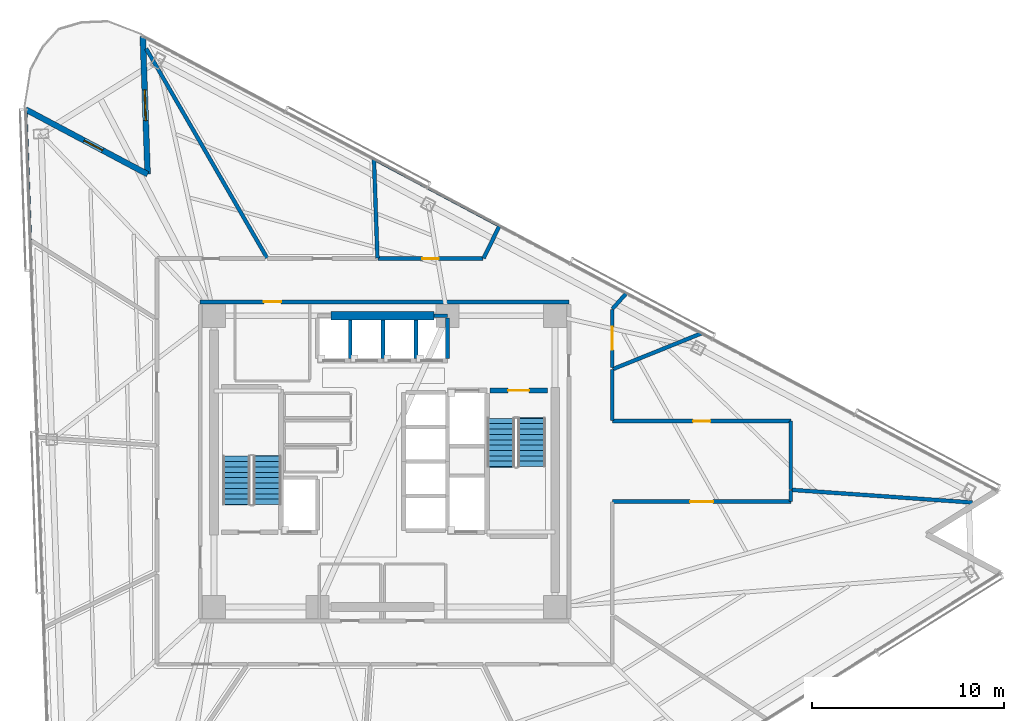
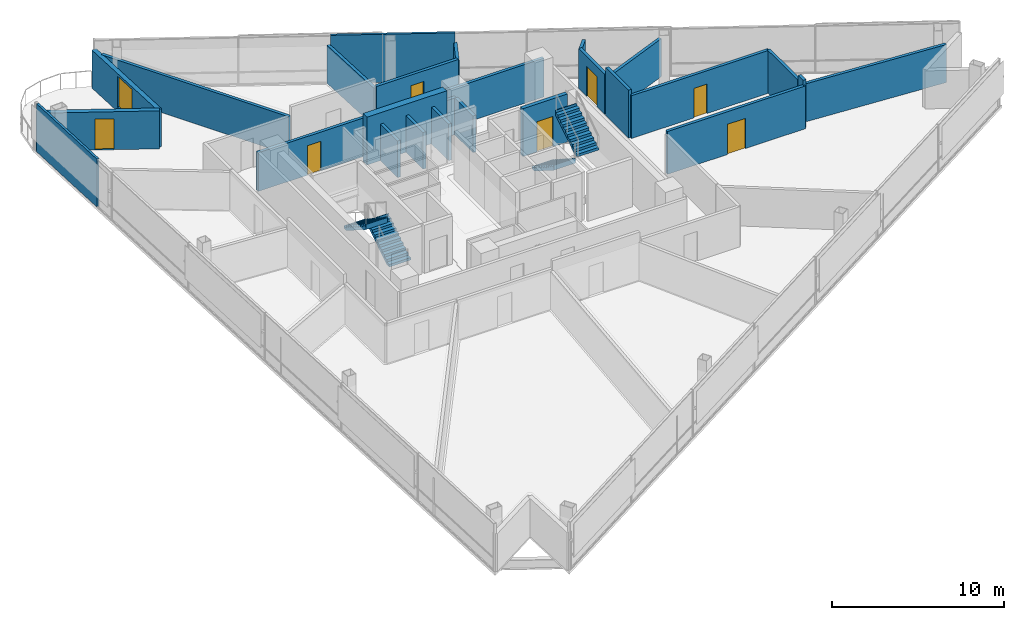
# One storey, part 14 of 20: 25 walls, 7 doors, 4 stair flights, 1 window, 8 openings, 2 elements without a shape of their own.
"""IFC4 building model written with IfcOpenShell, lengths in metres."""

from ifc_helpers import new_model, si_unit, direction, frame, frame_2d, origin, place, context, subcontext, project, spatial, polyline, rectangle, outline, extrude, material, layer, layer_set, type_object, element, fill, aggregate, save


model = new_model("IFC4")

# Units and contexts
model_context = context("Model", 3, precision=1e-05, world=origin(), true_north=direction((0.0, 1.0)))
body_context = subcontext(model_context, "Body", "Model", "MODEL_VIEW")
ifc_project = project(units=[si_unit("LENGTHUNIT", "METRE"), si_unit("AREAUNIT", "SQUARE_METRE"), si_unit("VOLUMEUNIT", "CUBIC_METRE"), si_unit("PLANEANGLEUNIT", "RADIAN"), si_unit("MASSUNIT", "GRAM", prefix="KILO")], contexts=[model_context])

# Site, building, storey
site_placement = place(None, origin())
site = spatial("IfcSite", under=ifc_project, at=site_placement, CompositionType="ELEMENT")
building_placement = place(site_placement, origin())
building = spatial("IfcBuilding", under=site, at=building_placement, Name="Tharavind Bronze Gate", CompositionType="ELEMENT")
storey_placement = place(building_placement, frame((0.0, 0.0, 149.60009765625)))
storey = spatial("IfcBuildingStorey", under=building, at=storey_placement, Name="L38", CompositionType="ELEMENT", Elevation=149.60009765625)

# Wall, opening, window
ifc_material_1 = material(Name="Concrete C40/50", Category="concrete")
ifc_layer_1 = layer(ifc_material_1, 0.300048828125)
ifc_layer_set_1 = layer_set([ifc_layer_1], Name="Concrete C40/50")
wall_type_1 = type_object("IfcWallType", Name="EXTERIOR SPANDREL WALL 300", PredefinedType="STANDARD", material=ifc_layer_set_1)
wall_1_placement = place(storey_placement, frame((-12.614013671875, 22.179931640625, 0.0), z_axis=(0.0, 0.0, 1.0), x_axis=(0.034925918675, -0.999389903994, 0.0)))
wall_1 = element("IfcWall", 1, at=wall_1_placement, inside=storey, type_object=wall_type_1, Name="L38 notch cheek wall 1A", PredefinedType="STANDARD", context=body_context, shape_type="SweptSolid", body=[
    extrude(rectangle(XDim=7.199951171875, YDim=0.300048828125, at=frame_2d((3.60009765625, 0.0))), origin(), (0.0, 0.0, 1.0), 2.704833984375),
])
opening_1_placement = place(wall_1_placement, frame((2.800048828125, 0.0, 0.324951171875)))
opening_1 = element("IfcOpeningElement", 2, at=opening_1_placement, cuts=wall_1, Name="Opening W05", PredefinedType="OPENING", context=body_context, shape_type="SweptSolid", body=[
    extrude(rectangle(XDim=1.60009765625, YDim=2.199951171875, at=frame_2d((0.800048828125, 1.10009765625))), frame((0.0, 0.15990234375, 0.0), z_axis=(0.0, -1.0, 0.0), x_axis=(1.0, 0.0, 0.0)), (0.0, 0.0, 1.0), 0.320048828125),
])
ifc_material_2 = material(Name="Bronze Aluminium & Low-E Glass", Category="aluminium")
window_type = type_object("IfcWindowType", Name="OFFICE NOTCH BRONZE WINDOW 1600X2200", PartitioningType="DOUBLE_PANEL_VERTICAL", PredefinedType="WINDOW", material=ifc_material_2)
window_placement = place(opening_1_placement, origin())
window = element("IfcWindow", 3, at=window_placement, inside=storey, type_object=window_type, Name="L38 exterior window WL-L38-NCB1-01", OverallHeight=2.199951171875, OverallWidth=1.60009765625, PartitioningType="SINGLE_PANEL", PredefinedType="WINDOW", context=body_context, shape_type="SweptSolid", body=[
    extrude(rectangle(XDim=1.60009765625, YDim=2.199951171875, at=frame_2d((0.800048828125, 1.10009765625))), frame((0.0, 0.030029296875, 0.0), z_axis=(0.0, -1.0, 0.0), x_axis=(1.0, 0.0, 0.0)), (0.0, 0.0, 1.0), 0.06005859375),
])
fill(opening_1, window)

# Wall, opening, door
wall_2_placement = place(storey_placement, frame((-12.362548828125, 14.984375, 0.0), z_axis=(0.0, 0.0, 1.0), x_axis=(-0.882950149473, 0.469466754463, 0.0)))
wall_2 = element("IfcWall", 4, at=wall_2_placement, inside=storey, type_object=wall_type_1, Name="L38 notch cheek wall 1B", PredefinedType="STANDARD", context=body_context, shape_type="SweptSolid", body=[
    extrude(rectangle(XDim=7.199951171875, YDim=0.300048828125, at=frame_2d((3.60009765625, 0.0))), origin(), (0.0, 0.0, 1.0), 2.704833984375),
])
opening_2_placement = place(wall_2_placement, frame((2.654052734375, 0.0, 0.0)))
opening_2 = element("IfcOpeningElement", 5, at=opening_2_placement, cuts=wall_2, Name="Opening ED04", PredefinedType="OPENING", context=body_context, shape_type="SweptSolid", body=[
    extrude(rectangle(XDim=1.10009765625, YDim=2.199951171875, at=frame_2d((0.550048828125, 1.10009765625))), frame((0.0, 0.15990234375, 0.0), z_axis=(0.0, -1.0, 0.0), x_axis=(1.0, 0.0, 0.0)), (0.0, 0.0, 1.0), 0.320048828125),
])
ifc_material_3 = material(Name="Bronze Aluminium & Toughened Glass", Category="aluminium")
door_type_1 = type_object("IfcDoorType", Name="TREE BALCONY ACCESS DOOR 1100X2200", OperationType="SINGLE_SWING_LEFT", PredefinedType="DOOR", material=ifc_material_3)
door_1_placement = place(opening_2_placement, origin())
door_1 = element("IfcDoor", 6, at=door_1_placement, inside=storey, type_object=door_type_1, Name="L38 tree balcony access door", OperationType="SINGLE_SWING_LEFT", OverallHeight=2.199951171875, OverallWidth=1.10009765625, PredefinedType="DOOR", context=body_context, shape_type="SweptSolid", body=[
    extrude(rectangle(XDim=1.10009765625, YDim=2.199951171875, at=frame_2d((0.550048828125, 1.10009765625))), frame((0.0, 0.02490234375, 0.0), z_axis=(0.0, -1.0, 0.0), x_axis=(1.0, 0.0, 0.0)), (0.0, 0.0, 1.0), 0.050048828125),
])
fill(opening_2, door_1)

ifc_material_4 = material(Name="Aerated Concrete Block", Category="concrete")
ifc_layer_2 = layer(ifc_material_4, 0.199951171875)
ifc_layer_set_2 = layer_set([ifc_layer_2], Name="Aerated Concrete Block")
wall_type_2 = type_object("IfcWallType", Name="FIRE RATED PARTITION 200", PredefinedType="PARTITIONING", material=ifc_layer_set_2)
wall_3_placement = place(storey_placement, frame((9.6201171875, 8.320068359375, 0.0), z_axis=(0.0, 0.0, 1.0), x_axis=(-1.0, 0.0, 0.0)))
wall_3 = element("IfcWall", 7, at=wall_3_placement, inside=storey, type_object=wall_type_2, Name="L38 north core corridor wall", PredefinedType="PARTITIONING", context=body_context, shape_type="SweptSolid", body=[
    extrude(rectangle(XDim=19.240234375, YDim=0.199951171875, at=frame_2d((9.6201171875, 0.0))), origin(), (0.0, 0.0, 1.0), 2.7548828125),
])
opening_3_placement = place(wall_3_placement, frame((15.02001953125, 0.0, 0.0)))
opening_3 = element("IfcOpeningElement", 8, at=opening_3_placement, cuts=wall_3, Name="Opening ID07", PredefinedType="OPENING", context=body_context, shape_type="SweptSolid", body=[
    extrude(rectangle(XDim=0.89990234375, YDim=2.10009765625, at=frame_2d((0.449951171875, 1.050048828125))), frame((0.0, 0.11009765625, 0.0), z_axis=(0.0, -1.0, 0.0), x_axis=(1.0, 0.0, 0.0)), (0.0, 0.0, 1.0), 0.219951171875),
])
ifc_material_5 = material(Name="Galvanised Fire Steel", Category="steel")
door_type_2 = type_object("IfcDoorType", Name="PLANT AND RISER FIRE DOOR 900X2100", OperationType="SINGLE_SWING_LEFT", PredefinedType="DOOR", material=ifc_material_5)
door_2_placement = place(opening_3_placement, frame((0.89990234375, 0.0, 0.0), z_axis=(0.0, 0.0, 1.0), x_axis=(-1.0, 0.0, 0.0)))
door_2 = element("IfcDoor", 9, at=door_2_placement, inside=storey, type_object=door_type_2, Name="L38 Electrical Switch Room fire door", OperationType="SINGLE_SWING_LEFT", OverallHeight=2.10009765625, OverallWidth=0.89990234375, PredefinedType="DOOR", context=body_context, shape_type="SweptSolid", body=[
    extrude(rectangle(XDim=0.89990234375, YDim=2.10009765625, at=frame_2d((0.449951171875, 1.050048828125))), frame((0.0, 0.02490234375, 0.0), z_axis=(0.0, -1.0, 0.0), x_axis=(1.0, 0.0, 0.0)), (0.0, 0.0, 1.0), 0.050048828125),
])
fill(opening_3, door_2)

# Wall
wall_4_placement = place(storey_placement, frame((5.98193359375, 12.264892578125, 0.0), z_axis=(0.0, 0.0, 1.0), x_axis=(-0.438366708416, -0.898796211025, 0.0)))
element("IfcWall", 10, at=wall_4_placement, inside=storey, type_object=wall_type_2, Name="L38 Accessible Toilet partition", PredefinedType="PARTITIONING", context=body_context, shape_type="SweptSolid", body=[
    extrude(rectangle(XDim=1.859130859375, YDim=0.199951171875, at=frame_2d((0.9296875, 0.0))), origin(), (0.0, 0.0, 1.0), 2.704833984375),
])

# Wall, opening, door
wall_5_placement = place(storey_placement, frame((5.14453125, 10.580078125, 0.0), z_axis=(0.0, 0.0, 1.0), x_axis=(-1.0, 0.0, 0.0)))
wall_5 = element("IfcWall", 11, at=wall_5_placement, inside=storey, type_object=wall_type_2, Name="L38 Accessible Toilet partition", PredefinedType="PARTITIONING", context=body_context, shape_type="SweptSolid", body=[
    extrude(rectangle(XDim=5.48974609375, YDim=0.199951171875, at=frame_2d((2.744873046875, 0.0))), origin(), (0.0, 0.0, 1.0), 2.85498046875),
])
opening_4_placement = place(wall_5_placement, frame((2.320068359375, 0.0, 0.0)))
opening_4 = element("IfcOpeningElement", 12, at=opening_4_placement, cuts=wall_5, Name="Opening ID06", PredefinedType="OPENING", context=body_context, shape_type="SweptSolid", body=[
    extrude(rectangle(XDim=0.85009765625, YDim=2.10009765625, at=frame_2d((0.425048828125, 1.050048828125))), frame((0.0, 0.11009765625, 0.0), z_axis=(0.0, -1.0, 0.0), x_axis=(1.0, 0.0, 0.0)), (0.0, 0.0, 1.0), 0.219951171875),
])
ifc_material_6 = material(Name="Moisture-Resistant Timber", Category="wood")
door_type_3 = type_object("IfcDoorType", Name="BATHROOM PRIVACY DOOR 850X2100", OperationType="SINGLE_SWING_RIGHT", PredefinedType="DOOR", material=ifc_material_6)
door_3_placement = place(opening_4_placement, origin())
door_3 = element("IfcDoor", 13, at=door_3_placement, inside=storey, type_object=door_type_3, Name="L38 Accessible Toilet door", OperationType="SINGLE_SWING_RIGHT", OverallHeight=2.10009765625, OverallWidth=0.85009765625, PredefinedType="DOOR", context=body_context, shape_type="SweptSolid", body=[
    extrude(rectangle(XDim=0.85009765625, YDim=2.10009765625, at=frame_2d((0.425048828125, 1.050048828125))), frame((0.0, 0.02490234375, 0.0), z_axis=(0.0, -1.0, 0.0), x_axis=(1.0, 0.0, 0.0)), (0.0, 0.0, 1.0), 0.050048828125),
])
fill(opening_4, door_3)

# Walls
wall_6_placement = place(storey_placement, frame((-0.370361328125, 10.60400390625, 0.0), z_axis=(0.0, 0.0, 1.0), x_axis=(-0.034885573224, 0.999391313141, 0.0)))
element("IfcWall", 14, at=wall_6_placement, inside=storey, type_object=wall_type_2, Name="L38 Accessible Toilet partition", PredefinedType="PARTITIONING", context=body_context, shape_type="SweptSolid", body=[
    extrude(rectangle(XDim=5.164794921875, YDim=0.199951171875, at=frame_2d((2.58251953125, 0.0))), origin(), (0.0, 0.0, 1.0), 2.704833984375),
])
wall_7_placement = place(storey_placement, frame((-12.4365234375, 21.54052734375, 0.0), z_axis=(0.0, 0.0, 1.0), x_axis=(0.500011201522, -0.866018936486, 0.0)))
element("IfcWall", 15, at=wall_7_placement, inside=storey, type_object=wall_type_2, Name="L38 Public Restrooms Block partition", PredefinedType="PARTITIONING", context=body_context, shape_type="SweptSolid", body=[
    extrude(rectangle(XDim=12.613037109375, YDim=0.199951171875, at=frame_2d((6.306640625, 0.0))), origin(), (0.0, 0.0, 1.0), 2.704833984375),
])
wall_8_placement = place(storey_placement, frame((16.53564453125, 6.680908203125, 0.0), z_axis=(0.0, 0.0, 1.0), x_axis=(-0.927180663406, -0.374614491718, 0.0)))
element("IfcWall", 16, at=wall_8_placement, inside=storey, type_object=wall_type_2, Name="L38 Meeting Room 1 partition", PredefinedType="PARTITIONING", context=body_context, shape_type="SweptSolid", body=[
    extrude(rectangle(XDim=4.984375, YDim=0.199951171875, at=frame_2d((2.4921875, 0.0))), origin(), (0.0, 0.0, 1.0), 2.704833984375),
])

# Wall, opening, door
wall_9_placement = place(storey_placement, frame((11.8798828125, 4.9130859375, 0.0), z_axis=(0.0, 0.0, 1.0), x_axis=(0.0, 1.0, 0.0)))
wall_9 = element("IfcWall", 17, at=wall_9_placement, inside=storey, type_object=wall_type_2, Name="L38 Meeting Room 1 partition", PredefinedType="PARTITIONING", context=body_context, shape_type="SweptSolid", body=[
    extrude(rectangle(XDim=3.023193359375, YDim=0.199951171875, at=frame_2d((1.51171875, 0.0))), origin(), (0.0, 0.0, 1.0), 2.85498046875),
])
opening_5_placement = place(wall_9_placement, frame((0.912109375, 0.0, 0.0)))
opening_5 = element("IfcOpeningElement", 18, at=opening_5_placement, cuts=wall_9, Name="Opening ID05", PredefinedType="OPENING", context=body_context, shape_type="SweptSolid", body=[
    extrude(rectangle(XDim=1.199951171875, YDim=2.14990234375, at=frame_2d((0.60009765625, 1.074951171875))), frame((0.0, 0.11009765625, 0.0), z_axis=(0.0, -1.0, 0.0), x_axis=(1.0, 0.0, 0.0)), (0.0, 0.0, 1.0), 0.219951171875),
])
ifc_material_7 = material(Name="Acoustic Laminated Glass", Category="glass")
door_type_4 = type_object("IfcDoorType", Name="MEETING ROOM GLAZED DOOR 1200X2150", OperationType="SINGLE_SWING_LEFT", PredefinedType="DOOR", material=ifc_material_7)
door_4_placement = place(opening_5_placement, origin())
door_4 = element("IfcDoor", 19, at=door_4_placement, inside=storey, type_object=door_type_4, Name="L38 Meeting Room 1 door", OperationType="SINGLE_SWING_LEFT", OverallHeight=2.14990234375, OverallWidth=1.199951171875, PredefinedType="DOOR", context=body_context, shape_type="SweptSolid", body=[
    extrude(rectangle(XDim=1.199951171875, YDim=2.14990234375, at=frame_2d((0.60009765625, 1.074951171875))), frame((0.0, 0.02490234375, 0.0), z_axis=(0.0, -1.0, 0.0), x_axis=(1.0, 0.0, 0.0)), (0.0, 0.0, 1.0), 0.050048828125),
])
fill(opening_5, door_4)

# Walls
wall_10_placement = place(storey_placement, frame((11.88623046875, 7.952880859375, 0.0), z_axis=(0.0, 0.0, 1.0), x_axis=(0.665668753696, 0.746247351991, 0.0)))
element("IfcWall", 20, at=wall_10_placement, inside=storey, type_object=wall_type_2, Name="L38 Meeting Room 1 partition", PredefinedType="PARTITIONING", context=body_context, shape_type="SweptSolid", body=[
    extrude(rectangle(XDim=1.0908203125, YDim=0.199951171875, at=frame_2d((0.54541015625, 0.0))), origin(), (0.0, 0.0, 1.0), 2.704833984375),
])
wall_11_placement = place(storey_placement, frame((21.199951171875, -2.099365234375, 0.0), z_axis=(0.0, 0.0, 1.0), x_axis=(0.0, 1.0, 0.0)))
element("IfcWall", 21, at=wall_11_placement, inside=storey, type_object=wall_type_2, Name="L38 Client Lounge partition", PredefinedType="PARTITIONING", context=body_context, shape_type="SweptSolid", body=[
    extrude(rectangle(XDim=0.590087890625, YDim=0.199951171875, at=frame_2d((0.294921875, 0.0))), origin(), (0.0, 0.0, 1.0), 3.409912109375),
])
wall_12_placement = place(storey_placement, frame((21.226806640625, -1.484375, 0.0), z_axis=(0.0, 0.0, 1.0), x_axis=(0.997564350918, -0.069752173994, 0.0)))
element("IfcWall", 22, at=wall_12_placement, inside=storey, type_object=wall_type_2, Name="L38 Client Lounge partition", PredefinedType="PARTITIONING", context=body_context, shape_type="SweptSolid", body=[
    extrude(rectangle(XDim=9.47119140625, YDim=0.199951171875, at=frame_2d((4.735595703125, 0.0))), origin(), (0.0, 0.0, 1.0), 2.704833984375),
])

# Wall, opening, door
wall_13_placement = place(storey_placement, frame((11.905029296875, -2.10009765625, 0.0), z_axis=(0.0, 0.0, 1.0), x_axis=(1.0, 0.0, 0.0)))
wall_13 = element("IfcWall", 23, at=wall_13_placement, inside=storey, type_object=wall_type_2, Name="L38 Client Lounge partition", PredefinedType="PARTITIONING", context=body_context, shape_type="SweptSolid", body=[
    extrude(rectangle(XDim=9.29443359375, YDim=0.199951171875, at=frame_2d((4.647216796875, 0.0))), origin(), (0.0, 0.0, 1.0), 3.044921875),
])
opening_6_placement = place(wall_13_placement, frame((4.047119140625, 0.0, 0.0)))
opening_6 = element("IfcOpeningElement", 24, at=opening_6_placement, cuts=wall_13, Name="Opening ID05", PredefinedType="OPENING", context=body_context, shape_type="SweptSolid", body=[
    extrude(rectangle(XDim=1.199951171875, YDim=2.14990234375, at=frame_2d((0.60009765625, 1.074951171875))), frame((0.0, 0.11009765625, 0.0), z_axis=(0.0, -1.0, 0.0), x_axis=(1.0, 0.0, 0.0)), (0.0, 0.0, 1.0), 0.219951171875),
])
door_5_placement = place(opening_6_placement, origin())
door_5 = element("IfcDoor", 25, at=door_5_placement, inside=storey, type_object=door_type_4, Name="L38 Client Lounge door", OperationType="SINGLE_SWING_LEFT", OverallHeight=2.14990234375, OverallWidth=1.199951171875, PredefinedType="DOOR", context=body_context, shape_type="SweptSolid", body=[
    extrude(rectangle(XDim=1.199951171875, YDim=2.14990234375, at=frame_2d((0.60009765625, 1.074951171875))), frame((0.0, 0.02490234375, 0.0), z_axis=(0.0, -1.0, 0.0), x_axis=(1.0, 0.0, 0.0)), (0.0, 0.0, 1.0), 0.050048828125),
])
fill(opening_6, door_5)

wall_14_placement = place(storey_placement, frame((21.199462890625, 2.10009765625, 0.0), z_axis=(0.0, 0.0, 1.0), x_axis=(-1.0, 0.0, 0.0)))
wall_14 = element("IfcWall", 26, at=wall_14_placement, inside=storey, type_object=wall_type_2, Name="L38 Tea Pantry partition", PredefinedType="PARTITIONING", context=body_context, shape_type="SweptSolid", body=[
    extrude(rectangle(XDim=9.29443359375, YDim=0.199951171875, at=frame_2d((4.647216796875, 0.0))), origin(), (0.0, 0.0, 1.0), 3.044921875),
])
opening_7_placement = place(wall_14_placement, frame((4.197021484375, 0.0, 0.0)))
opening_7 = element("IfcOpeningElement", 27, at=opening_7_placement, cuts=wall_14, Name="Opening ID07", PredefinedType="OPENING", context=body_context, shape_type="SweptSolid", body=[
    extrude(rectangle(XDim=0.89990234375, YDim=2.10009765625, at=frame_2d((0.449951171875, 1.050048828125))), frame((0.0, 0.11009765625, 0.0), z_axis=(0.0, -1.0, 0.0), x_axis=(1.0, 0.0, 0.0)), (0.0, 0.0, 1.0), 0.219951171875),
])
door_6_placement = place(opening_7_placement, origin())
door_6 = element("IfcDoor", 28, at=door_6_placement, inside=storey, type_object=door_type_2, Name="L38 Tea Pantry door", OperationType="SINGLE_SWING_LEFT", OverallHeight=2.10009765625, OverallWidth=0.89990234375, PredefinedType="DOOR", context=body_context, shape_type="SweptSolid", body=[
    extrude(rectangle(XDim=0.89990234375, YDim=2.10009765625, at=frame_2d((0.449951171875, 1.050048828125))), frame((0.0, 0.02490234375, 0.0), z_axis=(0.0, -1.0, 0.0), x_axis=(1.0, 0.0, 0.0)), (0.0, 0.0, 1.0), 0.050048828125),
])
fill(opening_7, door_6)

# Walls
wall_15_placement = place(storey_placement, frame((11.8798828125, 2.125, 0.0), z_axis=(0.0, 0.0, 1.0), x_axis=(0.0, 1.0, 0.0)))
element("IfcWall", 29, at=wall_15_placement, inside=storey, type_object=wall_type_2, Name="L38 Tea Pantry partition", PredefinedType="PARTITIONING", context=body_context, shape_type="SweptSolid", body=[
    extrude(rectangle(XDim=2.657958984375, YDim=0.199951171875, at=frame_2d((1.3291015625, 0.0))), origin(), (0.0, 0.0, 1.0), 3.409912109375),
])
wall_16_placement = place(storey_placement, frame((21.199951171875, -1.458984375, 0.0), z_axis=(0.0, 0.0, 1.0), x_axis=(0.0, 1.0, 0.0)))
element("IfcWall", 30, at=wall_16_placement, inside=storey, type_object=wall_type_2, Name="L38 Tea Pantry partition", PredefinedType="PARTITIONING", context=body_context, shape_type="SweptSolid", body=[
    extrude(rectangle(XDim=3.558349609375, YDim=0.199951171875, at=frame_2d((1.779296875, 0.0))), origin(), (0.0, 0.0, 1.0), 3.044921875),
])
ifc_material_8 = material(Name="Twin Stud Acoustic Gypsum", Category="gypsum")
ifc_layer_3 = layer(ifc_material_8, 0.14990234375)
ifc_layer_set_3 = layer_set([ifc_layer_3], Name="Twin Stud Acoustic Gypsum")
wall_type_3 = type_object("IfcWallType", Name="INTERIOR PARTITION WALL 150", PredefinedType="PARTITIONING", material=ifc_layer_set_3)
wall_17_placement = place(storey_placement, frame((-0.443359375, 15.708740234375, 0.0), z_axis=(0.0, 0.0, 1.0), x_axis=(0.882949454016, -0.469468062442, 0.0)))
element("IfcWall", 31, at=wall_17_placement, inside=storey, type_object=wall_type_3, Name="L38 Accessible Toilet partition", PredefinedType="PARTITIONING", context=body_context, shape_type="SweptSolid", body=[
    extrude(rectangle(XDim=7.264892578125, YDim=0.14990234375, at=frame_2d((3.63232421875, 0.0))), origin(), (0.0, 0.0, 1.0), 3.409912109375),
])
wall_18_placement = place(storey_placement, frame((-18.482177734375, 11.56201171875, 0.0), z_axis=(0.0, 0.0, 1.0), x_axis=(-0.034921554499, 0.9993900565, 0.0)))
element("IfcWall", 32, at=wall_18_placement, inside=storey, type_object=wall_type_3, Name="L38 Public Restrooms Block partition", PredefinedType="PARTITIONING", context=body_context, shape_type="SweptSolid", body=[
    extrude(rectangle(XDim=6.627685546875, YDim=0.14990234375, at=frame_2d((3.31396484375, 0.0))), origin(), (0.0, 0.0, 1.0), 3.409912109375),
])

# Wall, opening, door
ifc_material_9 = material(Name="Concrete C50/60", Category="concrete")
ifc_layer_4 = layer(ifc_material_9, 0.25)
ifc_layer_set_4 = layer_set([ifc_layer_4], Name="Concrete C50/60")
wall_type_4 = type_object("IfcWallType", Name="RC CORE SHEAR WALL 250", PredefinedType="SHEAR", material=ifc_layer_set_4)
wall_19_placement = place(storey_placement, frame((5.5, 3.699951171875, 0.0), z_axis=(0.0, 0.0, 1.0), x_axis=(1.0, 0.0, 0.0)))
wall_19 = element("IfcWall", 33, at=wall_19_placement, inside=storey, type_object=wall_type_4, Name="L38 ST2 shaft north wall", PredefinedType="SHEAR", context=body_context, shape_type="SweptSolid", body=[
    extrude(rectangle(XDim=3.0, YDim=0.25, at=frame_2d((1.5, 0.0))), origin(), (0.0, 0.0, 1.0), 3.409912109375),
])
opening_8_placement = place(wall_19_placement, frame((0.949951171875, 0.0, 0.0)))
opening_8 = element("IfcOpeningElement", 34, at=opening_8_placement, cuts=wall_19, Name="Opening ID01", PredefinedType="OPENING", context=body_context, shape_type="SweptSolid", body=[
    extrude(rectangle(XDim=1.10009765625, YDim=2.14990234375, at=frame_2d((0.550048828125, 1.074951171875))), frame((0.0, 0.135, 0.0), z_axis=(0.0, -1.0, 0.0), x_axis=(1.0, 0.0, 0.0)), (0.0, 0.0, 1.0), 0.27),
])
ifc_material_10 = material(Name="Fire-Rated Steel", Category="steel")
door_type_5 = type_object("IfcDoorType", Name="STAIR CORE FIRE DOOR 1100X2150", OperationType="SINGLE_SWING_LEFT", PredefinedType="DOOR", material=ifc_material_10)
door_7_placement = place(opening_8_placement, frame((1.10009765625, 0.0, 0.0), z_axis=(0.0, 0.0, 1.0), x_axis=(-1.0, 0.0, 0.0)))
door_7 = element("IfcDoor", 35, at=door_7_placement, inside=storey, type_object=door_type_5, Name="L38 exit stair ST2 fire door", OperationType="SINGLE_SWING_LEFT", OverallHeight=2.14990234375, OverallWidth=1.10009765625, PredefinedType="DOOR", context=body_context, shape_type="SweptSolid", body=[
    extrude(rectangle(XDim=1.10009765625, YDim=2.14990234375, at=frame_2d((0.550048828125, 1.074951171875))), frame((0.0, 0.02490234375, 0.0), z_axis=(0.0, -1.0, 0.0), x_axis=(1.0, 0.0, 0.0)), (0.0, 0.0, 1.0), 0.050048828125),
])
fill(opening_8, door_7)

# Walls
ifc_material_11 = material(Name="Concrete C60/75", Category="concrete")
ifc_layer_5 = layer(ifc_material_11, 0.449951171875)
ifc_layer_set_5 = layer_set([ifc_layer_5], Name="Concrete C60/75")
wall_type_5 = type_object("IfcWallType", Name="RC CORE SHEAR WALL 450", PredefinedType="SHEAR", material=ifc_layer_set_5)
wall_20_placement = place(storey_placement, frame((-2.800048828125, 7.60009765625, 0.0), z_axis=(0.0, 0.0, 1.0), x_axis=(1.0, 0.0, 0.0)))
element("IfcWall", 36, at=wall_20_placement, inside=storey, type_object=wall_type_5, Name="L38 north core shear wall", PredefinedType="SHEAR", context=body_context, shape_type="SweptSolid", body=[
    extrude(rectangle(XDim=5.380126953125, YDim=0.449951171875, at=frame_2d((2.68994140625, 0.0))), origin(), (0.0, 0.0, 1.0), 3.409912109375),
])
ifc_layer_6 = layer(ifc_material_1, 0.199951171875)
ifc_layer_set_6 = layer_set([ifc_layer_6], Name="Concrete C40/50")
wall_type_6 = type_object("IfcWallType", Name="SHAFT ENCLOSURE WALL 200", PredefinedType="PARTITIONING", material=ifc_layer_set_6)
for number, where, z_axis, x_axis, name in (
    (37, (-1.78759765625, 5.3798828125, 0.0), (0.0, 0.0, 1.0), (0.0, 1.0, 0.0), "L38 lift PL5 shaft E enclosure wall"),
    (38, (-0.074951171875, 5.3798828125, 0.0), (0.0, 0.0, 1.0), (0.0, 1.0, 0.0), "L38 lift PL6 shaft E enclosure wall"),
    (39, (1.637451171875, 5.3798828125, 0.0), (0.0, 0.0, 1.0), (0.0, 1.0, 0.0), "L38 lift PL7 shaft E enclosure wall"),
):
    element("IfcWall", number, at=place(storey_placement, frame(where, z_axis=z_axis, x_axis=x_axis)), inside=storey, type_object=wall_type_6, Name=name, PredefinedType="PARTITIONING", context=body_context, shape_type="SweptSolid", body=[
        extrude(rectangle(XDim=1.990234375, YDim=0.199951171875, at=frame_2d((0.9951171875, 0.0))), origin(), (0.0, 0.0, 1.0), 2.60498046875),
    ])
wall_21_placement = place(storey_placement, frame((2.580078125, 7.60009765625, 0.0), z_axis=(0.0, 0.0, 1.0), x_axis=(1.0, 0.0, 0.0)))
element("IfcWall", 40, at=wall_21_placement, inside=storey, type_object=wall_type_6, Name="L38 lift PL8 shaft N enclosure wall", PredefinedType="PARTITIONING", context=body_context, shape_type="SweptSolid", body=[
    extrude(rectangle(XDim=0.699951171875, YDim=0.199951171875, at=frame_2d((0.35009765625, 0.0))), origin(), (0.0, 0.0, 1.0), 2.60498046875),
])
wall_22_placement = place(storey_placement, frame((3.280029296875, 5.3798828125, 0.0), z_axis=(0.0, 0.0, 1.0), x_axis=(0.0, 1.0, 0.0)))
element("IfcWall", 41, at=wall_22_placement, inside=storey, type_object=wall_type_6, Name="L38 lift PL8 shaft E enclosure wall", PredefinedType="PARTITIONING", context=body_context, shape_type="SweptSolid", body=[
    extrude(rectangle(XDim=2.115234375, YDim=0.199951171875, at=frame_2d((1.0576171875, 0.0))), origin(), (0.0, 0.0, 1.0), 2.60498046875),
])

# Stair, stair flights
stair_type = type_object("IfcStairType", Name="CORE HALF TURN STAIR 1450", PredefinedType="HALF_TURN_STAIR", material=ifc_material_1)
stair_1_placement = place(storey_placement, origin())
stair_1 = element("IfcStair", 42, at=stair_1_placement, inside=storey, type_object=stair_type, Name="L38 Protected Exit Stair ST1", PredefinedType="HALF_TURN_STAIR")
stair_flight_type = type_object("IfcStairFlightType", Name="CORE STAIR FLIGHT 1450", PredefinedType="STRAIGHT", material=ifc_material_1)
stair_flight_1_placement = place(storey_placement, frame((-6.125, -2.25, 0.0), z_axis=(0.0, 0.0, 1.0), x_axis=(0.0, 1.0, 0.0)))
stair_flight_1 = element("IfcStairFlight", 43, at=stair_flight_1_placement, type_object=stair_flight_type, Name="ST1 flight 1", NumberOfRisers=10, NumberOfTreads=9, PredefinedType="STRAIGHT", RiserHeight=0.18, TreadLength=0.28, context=body_context, shape_type="SweptSolid", body=[
    extrude(outline(polyline([(0.0, 0.0), (0.0, 0.179931640625), (0.280029296875, 0.179931640625), (0.280029296875, 0.360107421875), (0.56005859375, 0.360107421875), (0.56005859375, 0.5400390625), (0.840087890625, 0.5400390625), (0.840087890625, 0.719970703125), (1.1201171875, 0.719970703125), (1.1201171875, 0.89990234375), (1.39990234375, 0.89990234375), (1.39990234375, 1.080078125), (1.679931640625, 1.080078125), (1.679931640625, 1.260009765625), (1.9599609375, 1.260009765625), (1.9599609375, 1.43994140625), (2.239990234375, 1.43994140625), (2.239990234375, 1.6201171875), (2.52001953125, 1.6201171875), (2.52001953125, 1.800048828125), (2.555908203125, 1.800048828125), (2.555908203125, 1.44189453125), (0.277099609375, 0.0), (0.0, 0.0)])), frame((0.0, 0.72509765625, 0.0), z_axis=(0.0, -1.0, 0.0), x_axis=(1.0, 0.0, 0.0)), (0.0, 0.0, 1.0), 1.449951171875),
])
stair_flight_2_placement = place(storey_placement, frame((-7.72509765625, 0.27001953125, 1.7998046875), z_axis=(0.0, 0.0, 1.0), x_axis=(0.0, -1.0, 0.0)))
stair_flight_2 = element("IfcStairFlight", 44, at=stair_flight_2_placement, type_object=stair_flight_type, Name="ST1 flight 2", NumberOfRisers=10, NumberOfTreads=9, PredefinedType="STRAIGHT", RiserHeight=0.18, TreadLength=0.28, context=body_context, shape_type="SweptSolid", body=[
    extrude(outline(polyline([(0.0, 0.0), (0.0, 0.179931640625), (0.280029296875, 0.179931640625), (0.280029296875, 0.360107421875), (0.56005859375, 0.360107421875), (0.56005859375, 0.5400390625), (0.840087890625, 0.5400390625), (0.840087890625, 0.719970703125), (1.1201171875, 0.719970703125), (1.1201171875, 0.89990234375), (1.39990234375, 0.89990234375), (1.39990234375, 1.080078125), (1.679931640625, 1.080078125), (1.679931640625, 1.260009765625), (1.9599609375, 1.260009765625), (1.9599609375, 1.43994140625), (2.239990234375, 1.43994140625), (2.239990234375, 1.6201171875), (2.52001953125, 1.6201171875), (2.52001953125, 1.800048828125), (2.555908203125, 1.800048828125), (2.555908203125, 1.44189453125), (0.277099609375, 0.0), (0.0, 0.0)])), frame((0.0, 0.72509765625, 0.0), z_axis=(0.0, -1.0, 0.0), x_axis=(1.0, 0.0, 0.0)), (0.0, 0.0, 1.0), 1.449951171875),
])
aggregate(stair_1, [stair_flight_1, stair_flight_2])

stair_2_placement = place(storey_placement, origin())
stair_2 = element("IfcStair", 45, at=stair_2_placement, inside=storey, type_object=stair_type, Name="L38 Protected Exit Stair ST2", PredefinedType="HALF_TURN_STAIR")
stair_flight_3_placement = place(storey_placement, frame((6.074951171875, 2.25, 0.0), z_axis=(0.0, 0.0, 1.0), x_axis=(0.0, -1.0, 0.0)))
stair_flight_3 = element("IfcStairFlight", 46, at=stair_flight_3_placement, type_object=stair_flight_type, Name="ST2 flight 1", NumberOfRisers=10, NumberOfTreads=9, PredefinedType="STRAIGHT", RiserHeight=0.18, TreadLength=0.28, context=body_context, shape_type="SweptSolid", body=[
    extrude(outline(polyline([(0.0, 0.0), (0.0, 0.179931640625), (0.280029296875, 0.179931640625), (0.280029296875, 0.360107421875), (0.56005859375, 0.360107421875), (0.56005859375, 0.5400390625), (0.840087890625, 0.5400390625), (0.840087890625, 0.719970703125), (1.1201171875, 0.719970703125), (1.1201171875, 0.89990234375), (1.39990234375, 0.89990234375), (1.39990234375, 1.080078125), (1.679931640625, 1.080078125), (1.679931640625, 1.260009765625), (1.9599609375, 1.260009765625), (1.9599609375, 1.43994140625), (2.239990234375, 1.43994140625), (2.239990234375, 1.6201171875), (2.52001953125, 1.6201171875), (2.52001953125, 1.800048828125), (2.555908203125, 1.800048828125), (2.555908203125, 1.44189453125), (0.277099609375, 0.0), (0.0, 0.0)])), frame((0.0, 0.72509765625, 0.0), z_axis=(0.0, -1.0, 0.0), x_axis=(1.0, 0.0, 0.0)), (0.0, 0.0, 1.0), 1.449951171875),
])
stair_flight_4_placement = place(storey_placement, frame((7.675048828125, -0.27001953125, 1.7998046875), z_axis=(0.0, 0.0, 1.0), x_axis=(0.0, 1.0, 0.0)))
stair_flight_4 = element("IfcStairFlight", 47, at=stair_flight_4_placement, type_object=stair_flight_type, Name="ST2 flight 2", NumberOfRisers=10, NumberOfTreads=9, PredefinedType="STRAIGHT", RiserHeight=0.18, TreadLength=0.28, context=body_context, shape_type="SweptSolid", body=[
    extrude(outline(polyline([(0.0, 0.0), (0.0, 0.179931640625), (0.280029296875, 0.179931640625), (0.280029296875, 0.360107421875), (0.56005859375, 0.360107421875), (0.56005859375, 0.5400390625), (0.840087890625, 0.5400390625), (0.840087890625, 0.719970703125), (1.1201171875, 0.719970703125), (1.1201171875, 0.89990234375), (1.39990234375, 0.89990234375), (1.39990234375, 1.080078125), (1.679931640625, 1.080078125), (1.679931640625, 1.260009765625), (1.9599609375, 1.260009765625), (1.9599609375, 1.43994140625), (2.239990234375, 1.43994140625), (2.239990234375, 1.6201171875), (2.52001953125, 1.6201171875), (2.52001953125, 1.800048828125), (2.555908203125, 1.800048828125), (2.555908203125, 1.44189453125), (0.277099609375, 0.0), (0.0, 0.0)])), frame((0.0, 0.72509765625, 0.0), z_axis=(0.0, -1.0, 0.0), x_axis=(1.0, 0.0, 0.0)), (0.0, 0.0, 1.0), 1.449951171875),
])
aggregate(stair_2, [stair_flight_3, stair_flight_4])

save(model, "model.ifc")
